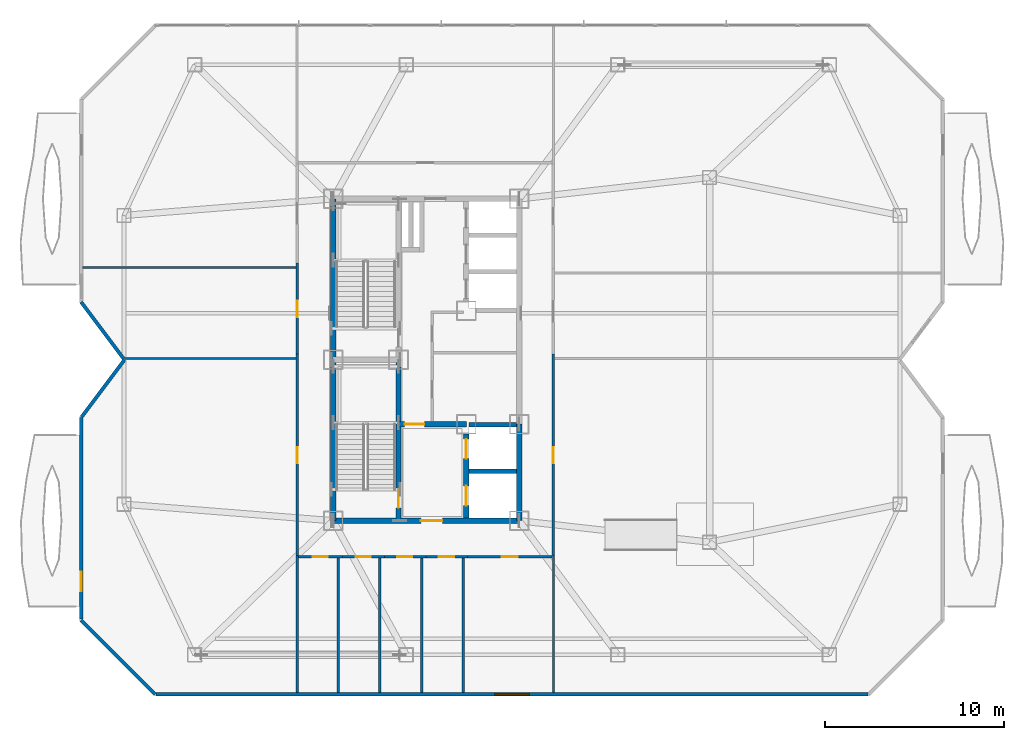
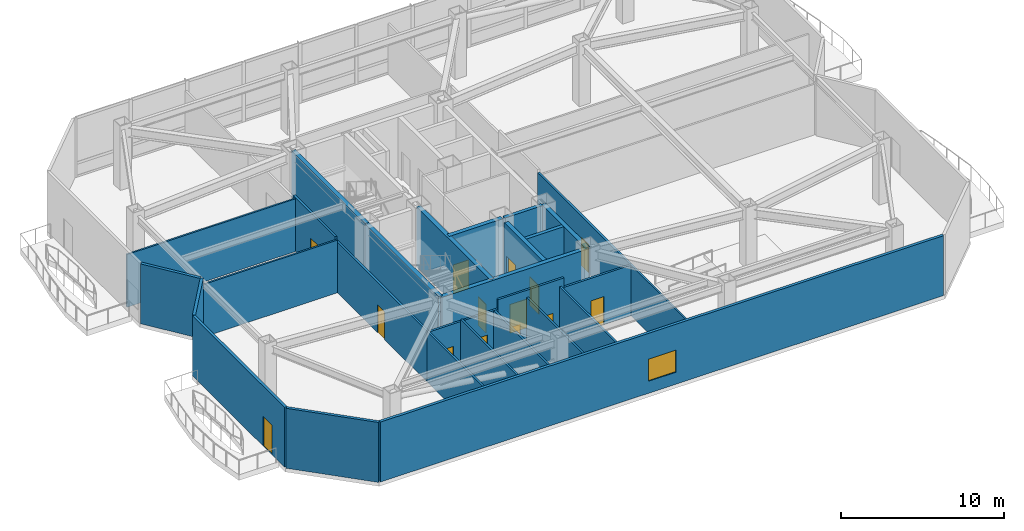
# One storey, part 10 of 16: 30 walls, 14 doors, 1 window, 15 openings.
"""IFC4 building model written with IfcOpenShell, lengths in metres."""

import ifcopenshell
import ifcopenshell.guid

model = None  # the IFC model being written
_history = None  # IfcOwnerHistory: only IFC2X3 demands one
_inside = {}  # id of a spatial element -> (the spatial element, [elements in it])
_under = {}  # id of a project, library or spatial element -> (it, [spatial elements below it])
_declared = {}  # id of a project -> (the project, [libraries it declares])
_typed = {}  # id of a type object -> (the type object, [elements of that type])
_made_of = {}  # id of a material, layer set ... -> (it, [elements and type objects made of it])


def new_model(schema):
    """Start an empty IFC model of exactly this schema.

    Asked for "IFC4X3", IfcOpenShell would pick the latest addendum, in which some entities
    have other attributes; the version numbers below select the first issue.
    IFC2X3 requires an IfcOwnerHistory on every rooted entity: one is made here for all.
    """
    global model, _history
    if schema == "IFC4X3":
        model = ifcopenshell.file(schema_version=(4, 3, 0, 0))
    else:
        model = ifcopenshell.file(schema=schema)
    _inside.clear()
    _under.clear()
    _declared.clear()
    _typed.clear()
    _made_of.clear()
    _history = None
    if model.schema == "IFC2X3":
        org = make("IfcOrganization", Name="unknown")
        user = make(
            "IfcPersonAndOrganization",
            ThePerson=make("IfcPerson", FamilyName="unknown"),
            TheOrganization=org,
        )
        app = make(
            "IfcApplication",
            ApplicationDeveloper=org,
            Version="unknown",
            ApplicationFullName="unknown",
            ApplicationIdentifier="unknown",
        )
        _history = make(
            "IfcOwnerHistory",
            OwningUser=user,
            OwningApplication=app,
            ChangeAction="ADDED",
            CreationDate=0,
        )
    return model


def make(cls, **values):
    """One entity of the class cls with the attributes given. An attribute that is None is left unset."""
    return model.create_entity(
        cls, **{name: value for name, value in values.items() if value is not None}
    )


def rooted(cls, **values):
    """An entity with a GlobalId (a new one), such as an element, a storey or a relation."""
    return make(cls, GlobalId=ifcopenshell.guid.new(), OwnerHistory=_history, **values)


def si_unit(unit_type, name, prefix=None):
    """IfcSIUnit, for example si_unit("LENGTHUNIT", "METRE", prefix="MILLI")."""
    return make("IfcSIUnit", UnitType=unit_type, Prefix=prefix, Name=name)


def assignment(units):
    """IfcUnitAssignment: the units of a project."""
    return None if units is None else make("IfcUnitAssignment", Units=units)


def point(xyz):
    """IfcCartesianPoint."""
    return None if xyz is None else make("IfcCartesianPoint", Coordinates=xyz)


def direction(xyz):
    """IfcDirection."""
    return None if xyz is None else make("IfcDirection", DirectionRatios=xyz)


def frame(location, z_axis=None, x_axis=None):
    """IfcAxis2Placement3D, a coordinate frame: its origin and axes. An axis left out is left unset."""
    return make(
        "IfcAxis2Placement3D",
        Location=point(location),
        Axis=direction(z_axis),
        RefDirection=direction(x_axis),
    )


def frame_2d(location, x_axis=None):
    """IfcAxis2Placement2D, a coordinate frame in the plane: its origin and x axis."""
    return make(
        "IfcAxis2Placement2D", Location=point(location), RefDirection=direction(x_axis)
    )


def origin():
    """The frame at (0, 0, 0) with its axes left unset."""
    return frame((0.0, 0.0, 0.0))


def place(relative_to, where):
    """IfcLocalPlacement: puts the frame where relative to a parent placement (None: the world)."""
    return make(
        "IfcLocalPlacement", PlacementRelTo=relative_to, RelativePlacement=where
    )


def context(
    kind, dimensions, precision=None, world=None, true_north=None, identifier=None
):
    """IfcGeometricRepresentationContext, for example the 3D "Model" context."""
    return make(
        "IfcGeometricRepresentationContext",
        ContextIdentifier=identifier,
        ContextType=kind,
        CoordinateSpaceDimension=dimensions,
        Precision=precision,
        WorldCoordinateSystem=world,
        TrueNorth=true_north,
    )


def subcontext(parent, identifier, kind, view, scale=None):
    """IfcGeometricRepresentationSubContext, for example "Body" below "Model"."""
    return make(
        "IfcGeometricRepresentationSubContext",
        ContextIdentifier=identifier,
        ContextType=kind,
        ParentContext=parent,
        TargetScale=scale,
        TargetView=view,
    )


def project(units=None, contexts=None):
    """IfcProject with its units and contexts."""
    return rooted(
        "IfcProject",
        Name="project",
        RepresentationContexts=contexts,
        UnitsInContext=assignment(units),
    )


def spatial(cls, under=None, at=None, **own):
    """A site, building, storey or space (cls), placed at a placement, below another one or the project."""
    s = rooted(cls, ObjectPlacement=at, **own)
    if under is not None:
        _under.setdefault(under.id(), (under, []))[1].append(s)
    return s


def profile(cls, at=None, kind="AREA", **sizes):
    """A parametric profile (cls). Its sizes go by their IFC names, for example OverallWidth=200.0."""
    return make(cls, ProfileType=kind, Position=at, **sizes)


def rectangle(**sizes):
    """IfcRectangleProfileDef."""
    return profile("IfcRectangleProfileDef", **sizes)


def extrude(swept, where, along, depth):
    """IfcExtrudedAreaSolid: the profile swept, set in the frame where, extruded along a direction by depth."""
    return make(
        "IfcExtrudedAreaSolid",
        SweptArea=swept,
        Position=where,
        ExtrudedDirection=direction(along),
        Depth=depth,
    )


def shape(context_of_items, identifier, shape_type, items):
    """IfcShapeRepresentation: the items that make up one representation, for example the "Body"."""
    return make(
        "IfcShapeRepresentation",
        ContextOfItems=context_of_items,
        RepresentationIdentifier=identifier,
        RepresentationType=shape_type,
        Items=items,
    )


def material(Name=None, Category=None):
    """IfcMaterial."""
    return make("IfcMaterial", Name=Name, Category=Category)


def layer(
    of_material, thickness, ventilated=None, Name=None, Category=None, Priority=None
):
    """IfcMaterialLayer: one layer of a wall or slab, of a material (None: an air gap)."""
    return make(
        "IfcMaterialLayer",
        Material=of_material,
        LayerThickness=thickness,
        IsVentilated=ventilated,
        Name=Name,
        Category=Category,
        Priority=Priority,
    )


def layer_set(layers, Name=None):
    """IfcMaterialLayerSet."""
    return make("IfcMaterialLayerSet", MaterialLayers=layers, LayerSetName=Name)


def made_of(thing, what):
    """Note that an element or type object is made of a material, layer set ...; save() writes the relation."""
    if what is not None:
        _made_of.setdefault(what.id(), (what, []))[1].append(thing)
    return thing


def type_object(cls, material=None, **own):
    """A type object (cls), such as IfcWallType, which elements share."""
    return made_of(rooted(cls, **own), material)


def element(
    cls,
    number,
    at=None,
    inside=None,
    cuts=None,
    type_object=None,
    material=None,
    context=None,
    identifier="Body",
    shape_type=None,
    held_by="IfcProductDefinitionShape",
    body=None,
    shapes=None,
    **own,
):
    """One element of the class cls, such as IfcWall. Its Tag is "e" and its number.

    at: its placement. inside: the storey or other place that contains it. cuts: it is an
    opening in that element (IfcRelVoidsElement). A single representation is given by context,
    identifier, shape_type and body (its items); several are given by shapes. held_by: the class
    of the entity that holds the representations. save() writes the other relations.
    """
    e = rooted(cls, Tag="e%d" % number, ObjectPlacement=at, **own)
    if body is not None:
        shapes = [shape(context, identifier, shape_type, body)]
    if shapes is not None:
        e.Representation = make(held_by, Representations=shapes)
    if inside is not None:
        _inside.setdefault(inside.id(), (inside, []))[1].append(e)
    if cuts is not None:
        rooted(
            "IfcRelVoidsElement", RelatingBuildingElement=cuts, RelatedOpeningElement=e
        )
    if type_object is not None:
        _typed.setdefault(type_object.id(), (type_object, []))[1].append(e)
    return made_of(e, material)


def fill(opening, filler):
    """IfcRelFillsElement: the door or window that sits in an opening."""
    return rooted(
        "IfcRelFillsElement",
        RelatingOpeningElement=opening,
        RelatedBuildingElement=filler,
    )


def aggregate(whole, parts):
    """IfcRelAggregates: a whole, such as a stair, and the parts it consists of."""
    return rooted("IfcRelAggregates", RelatingObject=whole, RelatedObjects=parts)


def save(model, path):
    """Write the relations noted so far, then the file.

    IfcRelAggregates (storeys below a building ...), IfcRelContainedInSpatialStructure (elements
    in a storey), IfcRelDefinesByType, IfcRelAssociatesMaterial and IfcRelDeclares: one each for
    every whole, place, type object, material and project.
    """
    for whole, parts in _under.values():
        aggregate(whole, parts)
    for where, things in _inside.values():
        rooted(
            "IfcRelContainedInSpatialStructure",
            RelatedElements=things,
            RelatingStructure=where,
        )
    for kind, things in _typed.values():
        rooted("IfcRelDefinesByType", RelatedObjects=things, RelatingType=kind)
    for what, things in _made_of.values():
        rooted("IfcRelAssociatesMaterial", RelatedObjects=things, RelatingMaterial=what)
    for by, libraries in _declared.values():
        rooted("IfcRelDeclares", RelatingContext=by, RelatedDefinitions=libraries)
    model.write(path)


model = new_model("IFC4")

# Units and contexts
model_context = context("Model", 3, precision=1e-05, world=origin(), true_north=direction((0.0, 1.0)))
body_context = subcontext(model_context, "Body", "Model", "MODEL_VIEW")
ifc_project = project(units=[si_unit("LENGTHUNIT", "METRE"), si_unit("AREAUNIT", "SQUARE_METRE"), si_unit("VOLUMEUNIT", "CUBIC_METRE"), si_unit("PLANEANGLEUNIT", "RADIAN"), si_unit("MASSUNIT", "GRAM", prefix="KILO")], contexts=[model_context])

# Site, building, storey
site_placement = place(None, origin())
site = spatial("IfcSite", under=ifc_project, at=site_placement, CompositionType="ELEMENT")
building_placement = place(site_placement, origin())
building = spatial("IfcBuilding", under=site, at=building_placement, Name="Khamvora Tower", CompositionType="ELEMENT")
storey_placement = place(building_placement, frame((0.0, 0.0, 207.0)))
storey = spatial("IfcBuildingStorey", under=building, at=storey_placement, Name="L53", CompositionType="ELEMENT", Elevation=207.0)

# Walls
ifc_material_1 = material(Name="Concrete C50/60", Category="concrete")
ifc_layer_1 = layer(ifc_material_1, 0.300048828125)
ifc_layer_set_1 = layer_set([ifc_layer_1], Name="Concrete C50/60")
wall_type_1 = type_object("IfcWallType", Name="WAL-CORE-300", PredefinedType="SHEAR", material=ifc_layer_set_1)
for number, where, z_axis, x_axis, name in (
    (1, (29.0, 19.0, 0.0), (0.0, 0.0, 1.0), (0.0, 1.0, 0.0), "L53 central core west south wall"),
    (2, (29.0, 28.0, 0.0), (0.0, 0.0, 1.0), (0.0, 1.0, 0.0), "L53 central core west north wall"),
):
    element("IfcWall", number, at=place(storey_placement, frame(where, z_axis=z_axis, x_axis=x_axis)), inside=storey, type_object=wall_type_1, Name=name, PredefinedType="SHEAR", context=body_context, shape_type="SweptSolid", body=[
        extrude(rectangle(XDim=9.0, YDim=0.300048828125, at=frame_2d((4.5, 0.0))), origin(), (0.0, 0.0, 1.0), 4.47998046875),
    ])

# Wall, opening, door
wall_1_placement = place(storey_placement, frame((29.0, 19.0, 0.0), z_axis=(0.0, 0.0, 1.0), x_axis=(1.0, 0.0, 0.0)))
wall_1 = element("IfcWall", 3, at=wall_1_placement, inside=storey, type_object=wall_type_1, Name="L53 central core south wall", PredefinedType="SHEAR", context=body_context, shape_type="SweptSolid", body=[
    extrude(rectangle(XDim=10.39990234375, YDim=0.300048828125, at=frame_2d((5.199951171875, 0.0))), origin(), (0.0, 0.0, 1.0), 4.47998046875),
])
opening_1_placement = place(wall_1_placement, frame((4.89990234375, 0.0, 0.0)))
opening_1 = element("IfcOpeningElement", 4, at=opening_1_placement, cuts=wall_1, Name="Opening D-CR1", PredefinedType="OPENING", context=body_context, shape_type="SweptSolid", body=[
    extrude(rectangle(XDim=1.199951171875, YDim=2.14990234375, at=frame_2d((0.60009765625, 1.074951171875))), frame((0.0, 0.159912109375, 0.0), z_axis=(0.0, -1.0, 0.0), x_axis=(1.0, 0.0, 0.0)), (0.0, 0.0, 1.0), 0.320068359375),
])
ifc_material_2 = material(Name="Powder-Coated Steel and Hardwood Leaf", Category="steel")
door_type_1 = type_object("IfcDoorType", Name="DOR-CORR-1200", OperationType="NOTDEFINED", PredefinedType="DOOR", material=ifc_material_2)
door_1_placement = place(opening_1_placement, origin())
door_1 = element("IfcDoor", 5, at=door_1_placement, inside=storey, type_object=door_type_1, Name="L53 south core lobby to corridor fire door", OperationType="SINGLE_SWING_RIGHT", OverallHeight=2.14990234375, OverallWidth=1.199951171875, PredefinedType="DOOR", context=body_context, shape_type="SweptSolid", body=[
    extrude(rectangle(XDim=1.199951171875, YDim=2.14990234375, at=frame_2d((0.60009765625, 1.074951171875))), frame((0.0, 0.02490234375, 0.0), z_axis=(0.0, -1.0, 0.0), x_axis=(1.0, 0.0, 0.0)), (0.0, 0.0, 1.0), 0.050048828125),
])
fill(opening_1, door_1)

# Wall
wall_2_placement = place(storey_placement, frame((39.39990234375, 19.0, 0.0), z_axis=(0.0, 0.0, 1.0), x_axis=(0.0, 1.0, 0.0)))
element("IfcWall", 6, at=wall_2_placement, inside=storey, type_object=wall_type_1, Name="L53 central core east south wall", PredefinedType="SHEAR", context=body_context, shape_type="SweptSolid", body=[
    extrude(rectangle(XDim=5.39990234375, YDim=0.300048828125, at=frame_2d((2.699951171875, 0.0))), origin(), (0.0, 0.0, 1.0), 4.47998046875),
])

# Wall, opening, door
wall_3_placement = place(storey_placement, frame((32.64990234375, 19.0, 0.0), z_axis=(0.0, 0.0, 1.0), x_axis=(0.0, 1.0, 0.0)))
wall_3 = element("IfcWall", 7, at=wall_3_placement, inside=storey, type_object=wall_type_1, Name="L53 central core stair south spine wall", PredefinedType="SHEAR", context=body_context, shape_type="SweptSolid", body=[
    extrude(rectangle(XDim=9.0, YDim=0.300048828125, at=frame_2d((4.5, 0.0))), origin(), (0.0, 0.0, 1.0), 4.47998046875),
])
opening_2_placement = place(wall_3_placement, frame((0.719970703125, 0.0, 0.0)))
opening_2 = element("IfcOpeningElement", 8, at=opening_2_placement, cuts=wall_3, Name="Opening D-ST1", PredefinedType="OPENING", context=body_context, shape_type="SweptSolid", body=[
    extrude(rectangle(XDim=1.0, YDim=2.14990234375, at=frame_2d((0.5, 1.074951171875))), frame((0.0, 0.159912109375, 0.0), z_axis=(0.0, -1.0, 0.0), x_axis=(1.0, 0.0, 0.0)), (0.0, 0.0, 1.0), 0.320068359375),
])
door_type_2 = type_object("IfcDoorType", Name="DOR-STAIR-1000", OperationType="NOTDEFINED", PredefinedType="DOOR", material=ifc_material_2)
door_2_placement = place(opening_2_placement, origin())
door_2 = element("IfcDoor", 9, at=door_2_placement, inside=storey, type_object=door_type_2, Name="L53 exit stair ST-01 fire door", OperationType="SINGLE_SWING_RIGHT", OverallHeight=2.14990234375, OverallWidth=1.0, PredefinedType="DOOR", context=body_context, shape_type="SweptSolid", body=[
    extrude(rectangle(XDim=1.0, YDim=2.14990234375, at=frame_2d((0.5, 1.074951171875))), frame((0.0, 0.02490234375, 0.0), z_axis=(0.0, -1.0, 0.0), x_axis=(1.0, 0.0, 0.0)), (0.0, 0.0, 1.0), 0.050048828125),
])
fill(opening_2, door_2)

wall_4_placement = place(storey_placement, frame((32.64990234375, 24.39990234375, 0.0), z_axis=(0.0, 0.0, 1.0), x_axis=(1.0, 0.0, 0.0)))
wall_4 = element("IfcWall", 10, at=wall_4_placement, inside=storey, type_object=wall_type_1, Name="L53 central core firefighting lobby north wall", PredefinedType="SHEAR", context=body_context, shape_type="SweptSolid", body=[
    extrude(rectangle(XDim=3.800048828125, YDim=0.300048828125, at=frame_2d((1.89990234375, 0.0))), origin(), (0.0, 0.0, 1.0), 4.47998046875),
])
opening_3_placement = place(wall_4_placement, frame((0.35009765625, 0.0, 0.0)))
opening_3 = element("IfcOpeningElement", 11, at=opening_3_placement, cuts=wall_4, Name="Opening D-FF1", PredefinedType="OPENING", context=body_context, shape_type="SweptSolid", body=[
    extrude(rectangle(XDim=1.10009765625, YDim=2.14990234375, at=frame_2d((0.550048828125, 1.074951171875))), frame((0.0, 0.159912109375, 0.0), z_axis=(0.0, -1.0, 0.0), x_axis=(1.0, 0.0, 0.0)), (0.0, 0.0, 1.0), 0.320068359375),
])
door_type_3 = type_object("IfcDoorType", Name="DOR-FFLOB-1100", OperationType="NOTDEFINED", PredefinedType="DOOR", material=ifc_material_2)
door_3_placement = place(opening_3_placement, origin())
door_3 = element("IfcDoor", 12, at=door_3_placement, inside=storey, type_object=door_type_3, Name="L53 firefighting lobby smoke-seal fire door", OperationType="SINGLE_SWING_LEFT", OverallHeight=2.14990234375, OverallWidth=1.10009765625, PredefinedType="DOOR", context=body_context, shape_type="SweptSolid", body=[
    extrude(rectangle(XDim=1.10009765625, YDim=2.14990234375, at=frame_2d((0.550048828125, 1.074951171875))), frame((0.0, 0.02490234375, 0.0), z_axis=(0.0, -1.0, 0.0), x_axis=(1.0, 0.0, 0.0)), (0.0, 0.0, 1.0), 0.050048828125),
])
fill(opening_3, door_3)

# Wall, openings, doors
wall_5_placement = place(storey_placement, frame((36.449951171875, 19.154052734375, 0.0), z_axis=(0.0, 0.0, 1.0), x_axis=(0.0, 1.0, 0.0)))
wall_5 = element("IfcWall", 13, at=wall_5_placement, inside=storey, type_object=wall_type_1, Name="L53 central core lift bank south wall", PredefinedType="SHEAR", context=body_context, shape_type="SweptSolid", body=[
    extrude(rectangle(XDim=4.696044921875, YDim=0.300048828125, at=frame_2d((2.34814453125, 0.0))), origin(), (0.0, 0.0, 1.0), 4.47998046875),
])
opening_4_placement = place(wall_5_placement, frame((0.696044921875, 0.0, 0.0)))
opening_4 = element("IfcOpeningElement", 14, at=opening_4_placement, cuts=wall_5, Name="Opening LD-FFL", PredefinedType="OPENING", context=body_context, shape_type="SweptSolid", body=[
    extrude(rectangle(XDim=1.10009765625, YDim=2.14990234375, at=frame_2d((0.550048828125, 1.074951171875))), frame((0.0, 0.159912109375, 0.0), z_axis=(0.0, -1.0, 0.0), x_axis=(1.0, 0.0, 0.0)), (0.0, 0.0, 1.0), 0.320068359375),
])
opening_5_placement = place(wall_5_placement, frame((3.31591796875, 0.0, 0.0)))
opening_5 = element("IfcOpeningElement", 15, at=opening_5_placement, cuts=wall_5, Name="Opening LD-FFL", PredefinedType="OPENING", context=body_context, shape_type="SweptSolid", body=[
    extrude(rectangle(XDim=1.10009765625, YDim=2.14990234375, at=frame_2d((0.550048828125, 1.074951171875))), frame((0.0, 0.159912109375, 0.0), z_axis=(0.0, -1.0, 0.0), x_axis=(1.0, 0.0, 0.0)), (0.0, 0.0, 1.0), 0.320068359375),
])
door_type_4 = type_object("IfcDoorType", Name="DOR-LIFT-1100", OperationType="SLIDING_TO_LEFT", PredefinedType="DOOR", material=ifc_material_2)
door_4_placement = place(opening_4_placement, origin())
door_4 = element("IfcDoor", 16, at=door_4_placement, inside=storey, type_object=door_type_4, Name="L53 lift landing sliding door FFL-01", OperationType="SLIDING_TO_LEFT", OverallHeight=2.14990234375, OverallWidth=1.10009765625, PredefinedType="DOOR", context=body_context, shape_type="SweptSolid", body=[
    extrude(rectangle(XDim=1.10009765625, YDim=2.14990234375, at=frame_2d((0.550048828125, 1.074951171875))), frame((0.0, 0.02490234375, 0.0), z_axis=(0.0, -1.0, 0.0), x_axis=(1.0, 0.0, 0.0)), (0.0, 0.0, 1.0), 0.050048828125),
])
fill(opening_4, door_4)
door_5_placement = place(opening_5_placement, origin())
door_5 = element("IfcDoor", 17, at=door_5_placement, inside=storey, type_object=door_type_4, Name="L53 lift landing sliding door FFL-02", OperationType="SLIDING_TO_LEFT", OverallHeight=2.14990234375, OverallWidth=1.10009765625, PredefinedType="DOOR", context=body_context, shape_type="SweptSolid", body=[
    extrude(rectangle(XDim=1.10009765625, YDim=2.14990234375, at=frame_2d((0.550048828125, 1.074951171875))), frame((0.0, 0.02490234375, 0.0), z_axis=(0.0, -1.0, 0.0), x_axis=(1.0, 0.0, 0.0)), (0.0, 0.0, 1.0), 0.050048828125),
])
fill(opening_5, door_5)

# Wall, opening, door
ifc_material_3 = material(Name="Fire-Rated Drywall and Steel Stud", Category="steel")
ifc_layer_2 = layer(ifc_material_3, 0.14990234375)
ifc_layer_set_2 = layer_set([ifc_layer_2], Name="Fire-Rated Drywall and Steel Stud")
wall_type_2 = type_object("IfcWallType", Name="WAL-CORR-150", PredefinedType="STANDARD", material=ifc_layer_set_2)
wall_6_placement = place(storey_placement, frame((41.31494140625, 28.31396484375, 0.0), z_axis=(0.0, 0.0, 1.0), x_axis=(0.0, -1.0, 0.0)))
wall_6 = element("IfcWall", 18, at=wall_6_placement, inside=storey, type_object=wall_type_2, Name="L53 interior partition wall 005", PredefinedType="STANDARD", context=body_context, shape_type="SweptSolid", body=[
    extrude(rectangle(XDim=11.263916015625, YDim=0.14990234375, at=frame_2d((5.6318359375, 0.0))), origin(), (0.0, 0.0, 1.0), 3.77490234375),
])
opening_6_placement = place(wall_6_placement, frame((5.202880859375, 0.0, 0.0)))
opening_6 = element("IfcOpeningElement", 19, at=opening_6_placement, cuts=wall_6, Name="Opening D-RM1", PredefinedType="OPENING", context=body_context, shape_type="SweptSolid", body=[
    extrude(rectangle(XDim=0.89990234375, YDim=2.10009765625, at=frame_2d((0.449951171875, 1.050048828125))), frame((0.0, 0.0849609375, 0.0), z_axis=(0.0, -1.0, 0.0), x_axis=(1.0, 0.0, 0.0)), (0.0, 0.0, 1.0), 0.169921875),
])
door_type_5 = type_object("IfcDoorType", Name="DOR-ROOM-900", OperationType="NOTDEFINED", PredefinedType="DOOR", material=ifc_material_2)
door_6_placement = place(opening_6_placement, origin())
door_6 = element("IfcDoor", 20, at=door_6_placement, inside=storey, type_object=door_type_5, Name="L53 interior door ACOR-BOTL", OperationType="SINGLE_SWING_RIGHT", OverallHeight=2.10009765625, OverallWidth=0.89990234375, PredefinedType="DOOR", context=body_context, shape_type="SweptSolid", body=[
    extrude(rectangle(XDim=0.89990234375, YDim=2.10009765625, at=frame_2d((0.449951171875, 1.050048828125))), frame((0.0, 0.02490234375, 0.0), z_axis=(0.0, -1.0, 0.0), x_axis=(1.0, 0.0, 0.0)), (0.0, 0.0, 1.0), 0.050048828125),
])
fill(opening_6, door_6)

wall_7_placement = place(storey_placement, frame((26.985107421875, 17.050048828125, 0.0), z_axis=(0.0, 0.0, 1.0), x_axis=(0.0, 1.0, 0.0)))
wall_7 = element("IfcWall", 21, at=wall_7_placement, inside=storey, type_object=wall_type_2, Name="L53 interior partition wall 006", PredefinedType="STANDARD", context=body_context, shape_type="SweptSolid", body=[
    extrude(rectangle(XDim=11.263916015625, YDim=0.14990234375, at=frame_2d((5.6318359375, 0.0))), origin(), (0.0, 0.0, 1.0), 3.77490234375),
])
opening_7_placement = place(wall_7_placement, frame((5.160888671875, 0.0, 0.0)))
opening_7 = element("IfcOpeningElement", 22, at=opening_7_placement, cuts=wall_7, Name="Opening D-RM1", PredefinedType="OPENING", context=body_context, shape_type="SweptSolid", body=[
    extrude(rectangle(XDim=0.89990234375, YDim=2.10009765625, at=frame_2d((0.449951171875, 1.050048828125))), frame((0.0, 0.0849609375, 0.0), z_axis=(0.0, -1.0, 0.0), x_axis=(1.0, 0.0, 0.0)), (0.0, 0.0, 1.0), 0.169921875),
])
door_7_placement = place(opening_7_placement, origin())
door_7 = element("IfcDoor", 23, at=door_7_placement, inside=storey, type_object=door_type_5, Name="L53 interior door ACOR-LOUN", OperationType="SINGLE_SWING_LEFT", OverallHeight=2.10009765625, OverallWidth=0.89990234375, PredefinedType="DOOR", context=body_context, shape_type="SweptSolid", body=[
    extrude(rectangle(XDim=0.89990234375, YDim=2.10009765625, at=frame_2d((0.449951171875, 1.050048828125))), frame((0.0, 0.02490234375, 0.0), z_axis=(0.0, -1.0, 0.0), x_axis=(1.0, 0.0, 0.0)), (0.0, 0.0, 1.0), 0.050048828125),
])
fill(opening_7, door_7)

wall_8_placement = place(storey_placement, frame((26.985107421875, 28.31396484375, 0.0), z_axis=(0.0, 0.0, 1.0), x_axis=(0.0, 1.0, 0.0)))
wall_8 = element("IfcWall", 24, at=wall_8_placement, inside=storey, type_object=wall_type_2, Name="L53 interior partition wall 007", PredefinedType="STANDARD", context=body_context, shape_type="SweptSolid", body=[
    extrude(rectangle(XDim=5.10009765625, YDim=0.14990234375, at=frame_2d((2.550048828125, 0.0))), origin(), (0.0, 0.0, 1.0), 4.007080078125),
])
opening_8_placement = place(wall_8_placement, frame((2.0791015625, 0.0, 0.0)))
opening_8 = element("IfcOpeningElement", 25, at=opening_8_placement, cuts=wall_8, Name="Opening D-RM1", PredefinedType="OPENING", context=body_context, shape_type="SweptSolid", body=[
    extrude(rectangle(XDim=0.89990234375, YDim=2.10009765625, at=frame_2d((0.449951171875, 1.050048828125))), frame((0.0, 0.0849609375, 0.0), z_axis=(0.0, -1.0, 0.0), x_axis=(1.0, 0.0, 0.0)), (0.0, 0.0, 1.0), 0.169921875),
])
door_8_placement = place(opening_8_placement, origin())
door_8 = element("IfcDoor", 26, at=door_8_placement, inside=storey, type_object=door_type_5, Name="L53 interior door ACOR-CINM", OperationType="SINGLE_SWING_RIGHT", OverallHeight=2.10009765625, OverallWidth=0.89990234375, PredefinedType="DOOR", context=body_context, shape_type="SweptSolid", body=[
    extrude(rectangle(XDim=0.89990234375, YDim=2.10009765625, at=frame_2d((0.449951171875, 1.050048828125))), frame((0.0, 0.02490234375, 0.0), z_axis=(0.0, -1.0, 0.0), x_axis=(1.0, 0.0, 0.0)), (0.0, 0.0, 1.0), 0.050048828125),
])
fill(opening_8, door_8)

wall_9_placement = place(storey_placement, frame((29.533935546875, 16.985107421875, 0.0), z_axis=(0.0, 0.0, 1.0), x_axis=(-1.0, 0.0, 0.0)))
wall_9 = element("IfcWall", 27, at=wall_9_placement, inside=storey, type_object=wall_type_2, Name="L53 interior partition wall 011", PredefinedType="STANDARD", context=body_context, shape_type="SweptSolid", body=[
    extrude(rectangle(XDim=2.48388671875, YDim=0.14990234375, at=frame_2d((1.241943359375, 0.0))), origin(), (0.0, 0.0, 1.0), 3.77490234375),
])
opening_9_placement = place(wall_9_placement, frame((0.837890625, 0.0, 0.0)))
opening_9 = element("IfcOpeningElement", 28, at=opening_9_placement, cuts=wall_9, Name="Opening D-WC1", PredefinedType="OPENING", context=body_context, shape_type="SweptSolid", body=[
    extrude(rectangle(XDim=0.85009765625, YDim=2.10009765625, at=frame_2d((0.425048828125, 1.050048828125))), frame((0.0, 0.0849609375, 0.0), z_axis=(0.0, -1.0, 0.0), x_axis=(1.0, 0.0, 0.0)), (0.0, 0.0, 1.0), 0.169921875),
])
door_type_6 = type_object("IfcDoorType", Name="DOR-WET-850", OperationType="NOTDEFINED", PredefinedType="DOOR", material=ifc_material_2)
door_9_placement = place(opening_9_placement, origin())
door_9 = element("IfcDoor", 29, at=door_9_placement, inside=storey, type_object=door_type_6, Name="L53 interior door ACOR-AWC1", OperationType="SINGLE_SWING_RIGHT", OverallHeight=2.10009765625, OverallWidth=0.85009765625, PredefinedType="DOOR", context=body_context, shape_type="SweptSolid", body=[
    extrude(rectangle(XDim=0.85009765625, YDim=2.10009765625, at=frame_2d((0.425048828125, 1.050048828125))), frame((0.0, 0.02490234375, 0.0), z_axis=(0.0, -1.0, 0.0), x_axis=(1.0, 0.0, 0.0)), (0.0, 0.0, 1.0), 0.050048828125),
])
fill(opening_9, door_9)

wall_10_placement = place(storey_placement, frame((31.864013671875, 16.985107421875, 0.0), z_axis=(0.0, 0.0, 1.0), x_axis=(-1.0, 0.0, 0.0)))
wall_10 = element("IfcWall", 30, at=wall_10_placement, inside=storey, type_object=wall_type_2, Name="L53 interior partition wall 012", PredefinedType="STANDARD", context=body_context, shape_type="SweptSolid", body=[
    extrude(rectangle(XDim=2.330078125, YDim=0.14990234375, at=frame_2d((1.1650390625, 0.0))), origin(), (0.0, 0.0, 1.0), 3.77490234375),
])
opening_10_placement = place(wall_10_placement, frame((0.760986328125, 0.0, 0.0)))
opening_10 = element("IfcOpeningElement", 31, at=opening_10_placement, cuts=wall_10, Name="Opening D-WC1", PredefinedType="OPENING", context=body_context, shape_type="SweptSolid", body=[
    extrude(rectangle(XDim=0.85009765625, YDim=2.10009765625, at=frame_2d((0.425048828125, 1.050048828125))), frame((0.0, 0.0849609375, 0.0), z_axis=(0.0, -1.0, 0.0), x_axis=(1.0, 0.0, 0.0)), (0.0, 0.0, 1.0), 0.169921875),
])
door_10_placement = place(opening_10_placement, origin())
door_10 = element("IfcDoor", 32, at=door_10_placement, inside=storey, type_object=door_type_6, Name="L53 interior door ACOR-AWC2", OperationType="SINGLE_SWING_LEFT", OverallHeight=2.10009765625, OverallWidth=0.85009765625, PredefinedType="DOOR", context=body_context, shape_type="SweptSolid", body=[
    extrude(rectangle(XDim=0.85009765625, YDim=2.10009765625, at=frame_2d((0.425048828125, 1.050048828125))), frame((0.0, 0.02490234375, 0.0), z_axis=(0.0, -1.0, 0.0), x_axis=(1.0, 0.0, 0.0)), (0.0, 0.0, 1.0), 0.050048828125),
])
fill(opening_10, door_10)

wall_11_placement = place(storey_placement, frame((34.194091796875, 16.985107421875, 0.0), z_axis=(0.0, 0.0, 1.0), x_axis=(-1.0, 0.0, 0.0)))
wall_11 = element("IfcWall", 33, at=wall_11_placement, inside=storey, type_object=wall_type_2, Name="L53 interior partition wall 013", PredefinedType="STANDARD", context=body_context, shape_type="SweptSolid", body=[
    extrude(rectangle(XDim=2.330078125, YDim=0.14990234375, at=frame_2d((1.1650390625, 0.0))), origin(), (0.0, 0.0, 1.0), 4.47998046875),
])
opening_11_placement = place(wall_11_placement, frame((0.760986328125, 0.0, 0.0)))
opening_11 = element("IfcOpeningElement", 34, at=opening_11_placement, cuts=wall_11, Name="Opening D-WC1", PredefinedType="OPENING", context=body_context, shape_type="SweptSolid", body=[
    extrude(rectangle(XDim=0.85009765625, YDim=2.10009765625, at=frame_2d((0.425048828125, 1.050048828125))), frame((0.0, 0.0849609375, 0.0), z_axis=(0.0, -1.0, 0.0), x_axis=(1.0, 0.0, 0.0)), (0.0, 0.0, 1.0), 0.169921875),
])
door_11_placement = place(opening_11_placement, origin())
door_11 = element("IfcDoor", 35, at=door_11_placement, inside=storey, type_object=door_type_6, Name="L53 interior door ACOR-AWC3", OperationType="SINGLE_SWING_RIGHT", OverallHeight=2.10009765625, OverallWidth=0.85009765625, PredefinedType="DOOR", context=body_context, shape_type="SweptSolid", body=[
    extrude(rectangle(XDim=0.85009765625, YDim=2.10009765625, at=frame_2d((0.425048828125, 1.050048828125))), frame((0.0, 0.02490234375, 0.0), z_axis=(0.0, -1.0, 0.0), x_axis=(1.0, 0.0, 0.0)), (0.0, 0.0, 1.0), 0.050048828125),
])
fill(opening_11, door_11)

wall_12_placement = place(storey_placement, frame((36.513916015625, 16.985107421875, 0.0), z_axis=(0.0, 0.0, 1.0), x_axis=(-1.0, 0.0, 0.0)))
wall_12 = element("IfcWall", 36, at=wall_12_placement, inside=storey, type_object=wall_type_2, Name="L53 interior partition wall 014", PredefinedType="STANDARD", context=body_context, shape_type="SweptSolid", body=[
    extrude(rectangle(XDim=2.31982421875, YDim=0.14990234375, at=frame_2d((1.159912109375, 0.0))), origin(), (0.0, 0.0, 1.0), 4.47998046875),
])
opening_12_placement = place(wall_12_placement, frame((0.756103515625, 0.0, 0.0)))
opening_12 = element("IfcOpeningElement", 37, at=opening_12_placement, cuts=wall_12, Name="Opening D-WC1", PredefinedType="OPENING", context=body_context, shape_type="SweptSolid", body=[
    extrude(rectangle(XDim=0.85009765625, YDim=2.10009765625, at=frame_2d((0.425048828125, 1.050048828125))), frame((0.0, 0.0849609375, 0.0), z_axis=(0.0, -1.0, 0.0), x_axis=(1.0, 0.0, 0.0)), (0.0, 0.0, 1.0), 0.169921875),
])
door_12_placement = place(opening_12_placement, origin())
door_12 = element("IfcDoor", 38, at=door_12_placement, inside=storey, type_object=door_type_6, Name="L53 interior door ACOR-AWC4", OperationType="SINGLE_SWING_LEFT", OverallHeight=2.10009765625, OverallWidth=0.85009765625, PredefinedType="DOOR", context=body_context, shape_type="SweptSolid", body=[
    extrude(rectangle(XDim=0.85009765625, YDim=2.10009765625, at=frame_2d((0.425048828125, 1.050048828125))), frame((0.0, 0.02490234375, 0.0), z_axis=(0.0, -1.0, 0.0), x_axis=(1.0, 0.0, 0.0)), (0.0, 0.0, 1.0), 0.050048828125),
])
fill(opening_12, door_12)

wall_13_placement = place(storey_placement, frame((41.25, 16.985107421875, 0.0), z_axis=(0.0, 0.0, 1.0), x_axis=(-1.0, 0.0, 0.0)))
wall_13 = element("IfcWall", 39, at=wall_13_placement, inside=storey, type_object=wall_type_2, Name="L53 interior partition wall 015", PredefinedType="STANDARD", context=body_context, shape_type="SweptSolid", body=[
    extrude(rectangle(XDim=4.736083984375, YDim=0.14990234375, at=frame_2d((2.3681640625, 0.0))), origin(), (0.0, 0.0, 1.0), 3.77490234375),
])
opening_13_placement = place(wall_13_placement, frame((1.91796875, 0.0, 0.0)))
opening_13 = element("IfcOpeningElement", 40, at=opening_13_placement, cuts=wall_13, Name="Opening D-RM1", PredefinedType="OPENING", context=body_context, shape_type="SweptSolid", body=[
    extrude(rectangle(XDim=0.89990234375, YDim=2.10009765625, at=frame_2d((0.449951171875, 1.050048828125))), frame((0.0, 0.0849609375, 0.0), z_axis=(0.0, -1.0, 0.0), x_axis=(1.0, 0.0, 0.0)), (0.0, 0.0, 1.0), 0.169921875),
])
door_13_placement = place(opening_13_placement, origin())
door_13 = element("IfcDoor", 41, at=door_13_placement, inside=storey, type_object=door_type_5, Name="L53 interior door ACOR-AST2", OperationType="SINGLE_SWING_RIGHT", OverallHeight=2.10009765625, OverallWidth=0.89990234375, PredefinedType="DOOR", context=body_context, shape_type="SweptSolid", body=[
    extrude(rectangle(XDim=0.89990234375, YDim=2.10009765625, at=frame_2d((0.449951171875, 1.050048828125))), frame((0.0, 0.02490234375, 0.0), z_axis=(0.0, -1.0, 0.0), x_axis=(1.0, 0.0, 0.0)), (0.0, 0.0, 1.0), 0.050048828125),
])
fill(opening_13, door_13)

# Wall
ifc_material_4 = material(Name="Precast concrete C40/50", Category="concrete")
ifc_layer_3 = layer(ifc_material_4, 0.199951171875)
ifc_layer_set_3 = layer_set([ifc_layer_3], Name="Precast concrete C40/50")
wall_type_3 = type_object("IfcWallType", Name="WAL-EXT-200", PredefinedType="STANDARD", material=ifc_layer_set_3)
wall_14_placement = place(storey_placement, frame((19.041015625, 9.300048828125, 0.0), z_axis=(0.0, 0.0, 1.0), x_axis=(-0.707127625344, 0.707085936414, 0.0)))
element("IfcWall", 42, at=wall_14_placement, inside=storey, type_object=wall_type_3, Name="L53 exterior facade wall 01.1", PredefinedType="STANDARD", context=body_context, shape_type="SweptSolid", body=[
    extrude(rectangle(XDim=5.856201171875, YDim=0.199951171875, at=frame_2d((2.92822265625, 0.0))), origin(), (0.0, 0.0, 1.0), 4.47998046875),
])

# Wall, opening, door
wall_15_placement = place(storey_placement, frame((14.89990234375, 13.50390625, 0.0), z_axis=(0.0, 0.0, 1.0), x_axis=(0.0, 1.0, 0.0)))
wall_15 = element("IfcWall", 43, at=wall_15_placement, inside=storey, type_object=wall_type_3, Name="L53 exterior facade wall 02.1", PredefinedType="STANDARD", context=body_context, shape_type="SweptSolid", body=[
    extrude(rectangle(XDim=11.26318359375, YDim=0.199951171875, at=frame_2d((5.631591796875, 0.0))), origin(), (0.0, 0.0, 1.0), 4.47998046875),
])
opening_14_placement = place(wall_15_placement, frame((1.5458984375, 0.0, 0.0)))
opening_14 = element("IfcOpeningElement", 44, at=opening_14_placement, cuts=wall_15, Name="Opening BD-01", PredefinedType="OPENING", context=body_context, shape_type="SweptSolid", body=[
    extrude(rectangle(XDim=1.10009765625, YDim=2.199951171875, at=frame_2d((0.550048828125, 1.10009765625))), frame((0.0, 0.10986328125, 0.0), z_axis=(0.0, -1.0, 0.0), x_axis=(1.0, 0.0, 0.0)), (0.0, 0.0, 1.0), 0.219970703125),
])
ifc_material_5 = material(Name="Anodised Aluminium and Laminated Safety Glass", Category="aluminium")
door_type_7 = type_object("IfcDoorType", Name="DOR-BAL-1100", OperationType="NOTDEFINED", PredefinedType="DOOR", material=ifc_material_5)
door_14_placement = place(opening_14_placement, origin())
door_14 = element("IfcDoor", 45, at=door_14_placement, inside=storey, type_object=door_type_7, Name="L53 lens gallery balcony door WL1", OperationType="SLIDING_TO_LEFT", OverallHeight=2.199951171875, OverallWidth=1.10009765625, PredefinedType="DOOR", context=body_context, shape_type="SweptSolid", body=[
    extrude(rectangle(XDim=1.10009765625, YDim=2.199951171875, at=frame_2d((0.550048828125, 1.10009765625))), frame((0.0, 0.02490234375, 0.0), z_axis=(0.0, -1.0, 0.0), x_axis=(1.0, 0.0, 0.0)), (0.0, 0.0, 1.0), 0.050048828125),
])
fill(opening_14, door_14)

# Walls
wall_16_placement = place(storey_placement, frame((14.929931640625, 24.806884765625, 0.0), z_axis=(0.0, 0.0, 1.0), x_axis=(0.600029358831, 0.799977980035, 0.0)))
element("IfcWall", 46, at=wall_16_placement, inside=storey, type_object=wall_type_3, Name="L53 exterior facade wall 03.1", PredefinedType="STANDARD", context=body_context, shape_type="SweptSolid", body=[
    extrude(rectangle(XDim=3.991455078125, YDim=0.199951171875, at=frame_2d((1.99560546875, 0.0))), origin(), (0.0, 0.0, 1.0), 4.47998046875),
])
wall_17_placement = place(storey_placement, frame((17.27294921875, 28.069091796875, 0.0), z_axis=(0.0, 0.0, 1.0), x_axis=(-0.600029630681, 0.799977776132, 0.0)))
element("IfcWall", 47, at=wall_17_placement, inside=storey, type_object=wall_type_3, Name="L53 exterior facade wall 04.1", PredefinedType="STANDARD", context=body_context, shape_type="SweptSolid", body=[
    extrude(rectangle(XDim=3.954833984375, YDim=0.199951171875, at=frame_2d((1.9775390625, 0.0))), origin(), (0.0, 0.0, 1.0), 4.47998046875),
])

# Wall, opening, window
wall_18_placement = place(storey_placement, frame((58.89599609375, 9.300048828125, 0.0), z_axis=(0.0, 0.0, 1.0), x_axis=(-1.0, 0.0, 0.0)))
wall_18 = element("IfcWall", 48, at=wall_18_placement, inside=storey, type_object=wall_type_3, Name="L53 exterior facade wall 14.1", PredefinedType="STANDARD", context=body_context, shape_type="SweptSolid", body=[
    extrude(rectangle(XDim=39.79296875, YDim=0.199951171875, at=frame_2d((19.896484375, 0.0))), origin(), (0.0, 0.0, 1.0), 4.47998046875),
])
opening_15_placement = place(wall_18_placement, frame((18.9208984375, 0.0, 0.89990234375)))
opening_15 = element("IfcOpeningElement", 49, at=opening_15_placement, cuts=wall_18, Name="Opening WN-08", PredefinedType="OPENING", context=body_context, shape_type="SweptSolid", body=[
    extrude(rectangle(XDim=1.949951171875, YDim=1.64990234375, at=frame_2d((0.97509765625, 0.824951171875))), frame((0.0, 0.10986328125, 0.0), z_axis=(0.0, -1.0, 0.0), x_axis=(1.0, 0.0, 0.0)), (0.0, 0.0, 1.0), 0.219970703125),
])
ifc_material_6 = material(Name="Low-E Laminated Double Glazing", Category="glass")
window_type = type_object("IfcWindowType", Name="WIN-VIS-1950x1650", PartitioningType="SINGLE_PANEL", PredefinedType="WINDOW", material=ifc_material_6)
window_placement = place(opening_15_placement, origin())
window = element("IfcWindow", 50, at=window_placement, inside=storey, type_object=window_type, Name="L53 vision window 14.1.01", OverallHeight=1.64990234375, OverallWidth=1.949951171875, PartitioningType="SINGLE_PANEL", PredefinedType="WINDOW", context=body_context, shape_type="SweptSolid", body=[
    extrude(rectangle(XDim=1.949951171875, YDim=1.64990234375, at=frame_2d((0.97509765625, 0.824951171875))), frame((0.0, 0.030029296875, 0.0), z_axis=(0.0, -1.0, 0.0), x_axis=(1.0, 0.0, 0.0)), (0.0, 0.0, 1.0), 0.06005859375),
])
fill(opening_15, window)

# Walls
ifc_material_7 = material(Name="Gypsum Plasterboard Partition", Category="gypsum")
ifc_layer_4 = layer(ifc_material_7, 0.1201171875)
ifc_layer_set_4 = layer_set([ifc_layer_4], Name="Gypsum Plasterboard Partition")
wall_type_4 = type_object("IfcWallType", Name="WAL-PART-120", PredefinedType="PARTITIONING", material=ifc_layer_set_4)
wall_19_placement = place(storey_placement, frame((41.31494140625, 9.39208984375, 0.0), z_axis=(0.0, 0.0, 1.0), x_axis=(0.0, 1.0, 0.0)))
element("IfcWall", 51, at=wall_19_placement, inside=storey, type_object=wall_type_4, Name="L53 interior partition wall 018", PredefinedType="PARTITIONING", context=body_context, shape_type="SweptSolid", body=[
    extrude(rectangle(XDim=7.657958984375, YDim=0.1201171875, at=frame_2d((3.8291015625, 0.0))), origin(), (0.0, 0.0, 1.0), 3.77490234375),
])
wall_20_placement = place(storey_placement, frame((17.327880859375, 28.06494140625, 0.0), z_axis=(0.0, 0.0, 1.0), x_axis=(1.0, 0.0, 0.0)))
element("IfcWall", 52, at=wall_20_placement, inside=storey, type_object=wall_type_4, Name="L53 interior partition wall 019", PredefinedType="PARTITIONING", context=body_context, shape_type="SweptSolid", body=[
    extrude(rectangle(XDim=9.590087890625, YDim=0.1201171875, at=frame_2d((4.794921875, 0.0))), origin(), (0.0, 0.0, 1.0), 3.93701171875),
])
wall_21_placement = place(storey_placement, frame((14.991943359375, 33.1650390625, 0.0), z_axis=(0.0, 0.0, 1.0), x_axis=(1.0, 0.0, 0.0)))
element("IfcWall", 53, at=wall_21_placement, inside=storey, type_object=wall_type_4, Name="L53 interior partition wall 021", PredefinedType="PARTITIONING", context=body_context, shape_type="SweptSolid", body=[
    extrude(rectangle(XDim=11.926025390625, YDim=0.1201171875, at=frame_2d((5.962890625, 0.0))), origin(), (0.0, 0.0, 1.0), 3.93701171875),
])
ifc_material_8 = material(Name="Concrete C40/50", Category="concrete")
ifc_layer_5 = layer(ifc_material_8, 0.25)
ifc_layer_set_5 = layer_set([ifc_layer_5], Name="Concrete C40/50")
wall_type_5 = type_object("IfcWallType", Name="WAL-PODS-250", PredefinedType="SHEAR", material=ifc_layer_set_5)
for number, where, z_axis, x_axis, name in (
    (54, (36.60400390625, 21.77490234375, 0.0), (0.0, 0.0, 1.0), (1.0, 0.0, 0.0), "L53 lift shaft divider wall FFL-01"),
    (55, (36.60400390625, 24.375, 0.0), (0.0, 0.0, 1.0), (1.0, 0.0, 0.0), "L53 lift shaft divider wall FFL-02"),
):
    element("IfcWall", number, at=place(storey_placement, frame(where, z_axis=z_axis, x_axis=x_axis)), inside=storey, type_object=wall_type_5, Name=name, PredefinedType="SHEAR", context=body_context, shape_type="SweptSolid", body=[
        extrude(rectangle(XDim=2.64208984375, YDim=0.25, at=frame_2d((1.321044921875, 0.0))), origin(), (0.0, 0.0, 1.0), 4.47998046875),
    ])
ifc_material_9 = material(Name="Moisture-Resistant Plasterboard Partition", Category="gypsum")
ifc_layer_6 = layer(ifc_material_9, 0.135009765625)
ifc_layer_set_6 = layer_set([ifc_layer_6], Name="Moisture-Resistant Plasterboard Partition")
wall_type_6 = type_object("IfcWallType", Name="WAL-WET-135", PredefinedType="PARTITIONING", material=ifc_layer_set_6)
wall_22_placement = place(storey_placement, frame((26.985107421875, 17.050048828125, 0.0), z_axis=(0.0, 0.0, 1.0), x_axis=(0.0, -1.0, 0.0)))
element("IfcWall", 56, at=wall_22_placement, inside=storey, type_object=wall_type_6, Name="L53 interior partition wall 020", PredefinedType="PARTITIONING", context=body_context, shape_type="SweptSolid", body=[
    extrude(rectangle(XDim=7.657958984375, YDim=0.135009765625, at=frame_2d((3.8291015625, 0.0))), origin(), (0.0, 0.0, 1.0), 3.77490234375),
])
wall_23_placement = place(storey_placement, frame((29.284912109375, 16.91796875, 0.0), z_axis=(0.0, 0.0, 1.0), x_axis=(0.0, -1.0, 0.0)))
element("IfcWall", 57, at=wall_23_placement, inside=storey, type_object=wall_type_6, Name="L53 interior partition wall 025", PredefinedType="PARTITIONING", context=body_context, shape_type="SweptSolid", body=[
    extrude(rectangle(XDim=7.52587890625, YDim=0.135009765625, at=frame_2d((3.762939453125, 0.0))), origin(), (0.0, 0.0, 1.0), 3.93701171875),
])
wall_24_placement = place(storey_placement, frame((31.614990234375, 16.91796875, 0.0), z_axis=(0.0, 0.0, 1.0), x_axis=(0.0, -1.0, 0.0)))
element("IfcWall", 58, at=wall_24_placement, inside=storey, type_object=wall_type_6, Name="L53 interior partition wall 026", PredefinedType="PARTITIONING", context=body_context, shape_type="SweptSolid", body=[
    extrude(rectangle(XDim=7.52587890625, YDim=0.135009765625, at=frame_2d((3.762939453125, 0.0))), origin(), (0.0, 0.0, 1.0), 3.77490234375),
])
for number, where, z_axis, x_axis, name in (
    (59, (33.945068359375, 16.91796875, 0.0), (0.0, 0.0, 1.0), (0.0, -1.0, 0.0), "L53 interior partition wall 027"),
    (60, (36.264892578125, 16.91796875, 0.0), (0.0, 0.0, 1.0), (0.0, -1.0, 0.0), "L53 interior partition wall 028"),
):
    element("IfcWall", number, at=place(storey_placement, frame(where, z_axis=z_axis, x_axis=x_axis)), inside=storey, type_object=wall_type_6, Name=name, PredefinedType="PARTITIONING", context=body_context, shape_type="SweptSolid", body=[
        extrude(rectangle(XDim=7.52587890625, YDim=0.135009765625, at=frame_2d((3.762939453125, 0.0))), origin(), (0.0, 0.0, 1.0), 3.93701171875),
    ])

save(model, "model.ifc")
